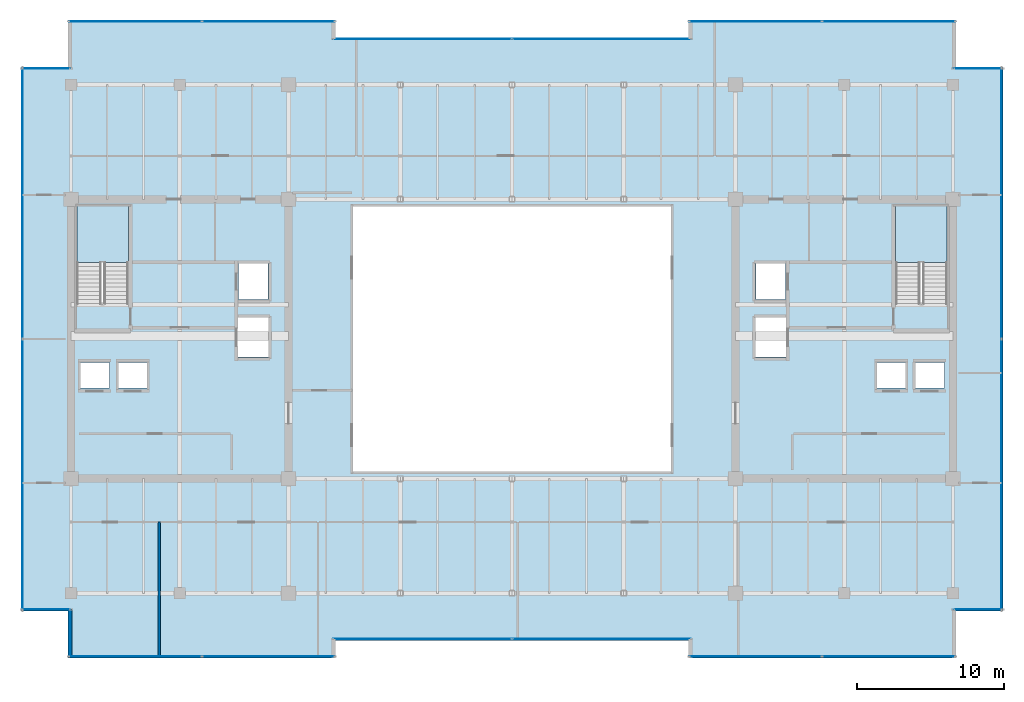
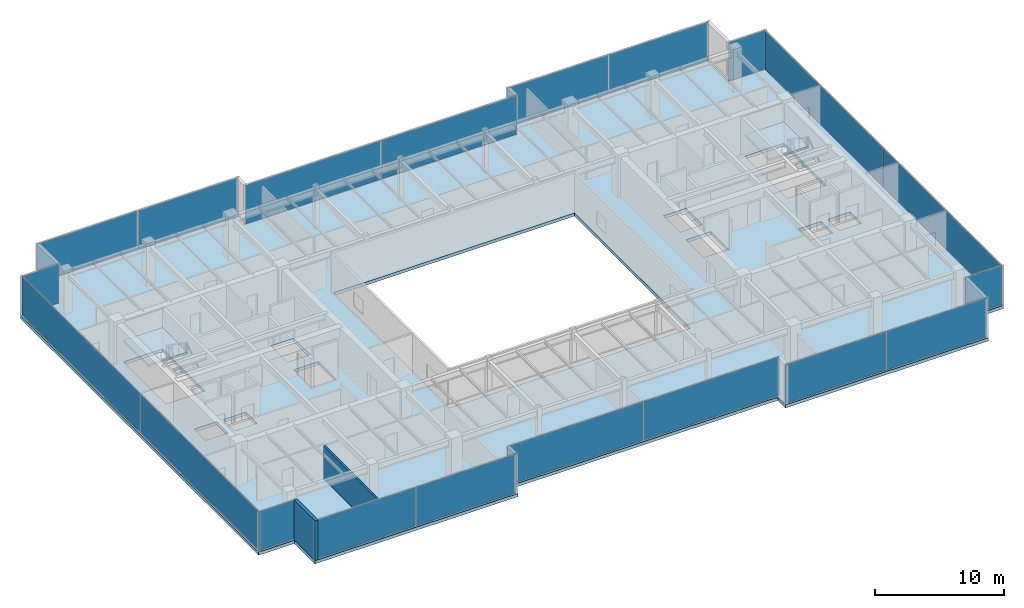
# One storey, part 27 of 33: 20 plates, 3 slabs, 2 walls, 14 elements without a shape of their own.
"""IFC4 building model written with IfcOpenShell, lengths in metres."""

from ifc_helpers import new_model, si_unit, direction, frame, frame_2d, origin, origin_2d, place, context, subcontext, project, spatial, polyline, rectangle, outline, extrude, source, transform, mapped, material, layer, layer_set, type_object, type_shapes, element, aggregate, save


model = new_model("IFC4")

# Units and contexts
model_context = context("Model", 3, precision=1e-05, world=origin(), true_north=direction((0.0, 1.0)))
body_context = subcontext(model_context, "Body", "Model", "MODEL_VIEW")
ifc_project = project(units=[si_unit("LENGTHUNIT", "METRE"), si_unit("AREAUNIT", "SQUARE_METRE"), si_unit("VOLUMEUNIT", "CUBIC_METRE"), si_unit("PLANEANGLEUNIT", "RADIAN"), si_unit("MASSUNIT", "GRAM", prefix="KILO")], contexts=[model_context])

# Site, building, storey
site_placement = place(None, origin())
site = spatial("IfcSite", under=ifc_project, at=site_placement, CompositionType="ELEMENT")
building_placement = place(site_placement, origin())
building = spatial("IfcBuilding", under=site, at=building_placement, Name="Haelvirn Gate Laboratories", CompositionType="ELEMENT")
storey_placement = place(building_placement, frame((0.0, 0.0, 267.0)))
storey = spatial("IfcBuildingStorey", under=building, at=storey_placement, Name="L64", CompositionType="ELEMENT", Elevation=267.0)

# Stair, slab
ifc_material_1 = material(Name="Concrete C40/50", Category="concrete")
stair_type = type_object("IfcStairType", Name="ST-DOG-1650-R22", PredefinedType="HALF_TURN_STAIR", material=ifc_material_1)
stair_1_placement = place(storey_placement, origin())
stair_1 = element("IfcStair", 1, at=stair_1_placement, inside=storey, type_object=stair_type, Name="L64 Escape Stair ST1", PredefinedType="HALF_TURN_STAIR")
ifc_layer_1 = layer(ifc_material_1, 0.199951171875, Name="SL-STAIR-LND")
ifc_layer_set_1 = layer_set([ifc_layer_1], Name="Concrete C40/50")
slab_type_1 = type_object("IfcSlabType", Name="SL-STAIR-LND", PredefinedType="LANDING", material=ifc_layer_set_1)
slab_1_placement = place(storey_placement, frame((0.0, 0.0, 1.85009765625)))
slab_1 = element("IfcSlab", 2, at=slab_1_placement, type_object=slab_type_1, Name="ST1 landing 1", PredefinedType="LANDING", context=body_context, shape_type="SweptSolid", body=[
    extrude(outline(polyline([(11.300048828125, 29.5), (11.300048828125, 33.35009765625), (7.800048828125, 33.35009765625), (7.800048828125, 29.5), (11.300048828125, 29.5)])), origin(), (0.0, 0.0, 1.0), 0.199951171875),
])
aggregate(stair_1, [slab_1])

stair_2_placement = place(storey_placement, origin())
stair_2 = element("IfcStair", 3, at=stair_2_placement, inside=storey, type_object=stair_type, Name="L64 Escape Stair ST2", PredefinedType="HALF_TURN_STAIR")
slab_2_placement = place(storey_placement, frame((0.0, 0.0, 1.85009765625)))
slab_2 = element("IfcSlab", 4, at=slab_2_placement, type_object=slab_type_1, Name="ST2 landing 1", PredefinedType="LANDING", context=body_context, shape_type="SweptSolid", body=[
    extrude(outline(polyline([(67.0, 29.5), (67.0, 33.35009765625), (63.5, 33.35009765625), (63.5, 29.5), (67.0, 29.5)])), origin(), (0.0, 0.0, 1.0), 0.199951171875),
])
aggregate(stair_2, [slab_2])

# Slab
ifc_layer_2 = layer(ifc_material_1, 0.300048828125, Name="SL-Z3-300")
ifc_layer_set_2 = layer_set([ifc_layer_2], Name="Concrete C40/50")
slab_type_2 = type_object("IfcSlabType", Name="SL-Z3-300", PredefinedType="FLOOR", material=ifc_layer_set_2)
slab_3_placement = place(storey_placement, frame((0.0, 0.0, -0.300048828125)))
element("IfcSlab", 5, at=slab_3_placement, inside=storey, type_object=slab_type_2, Name="L64 Structural Slab MAIN", PredefinedType="FLOOR", context=body_context, shape_type="SweptSolid", body=[
    extrude(outline(polyline([(7.199951171875, 2.60009765625), (25.39990234375, 2.60009765625), (25.39990234375, 3.800048828125), (49.39990234375, 3.800048828125), (49.39990234375, 2.60009765625), (67.60009765625, 2.60009765625), (67.60009765625, 5.800048828125), (70.800048828125, 5.800048828125), (70.800048828125, 42.800048828125), (67.60009765625, 42.800048828125), (67.60009765625, 46.0), (49.39990234375, 46.0), (49.39990234375, 44.800048828125), (25.39990234375, 44.800048828125), (25.39990234375, 46.0), (7.199951171875, 46.0), (7.199951171875, 42.800048828125), (4.0, 42.800048828125), (4.0, 5.800048828125), (7.199951171875, 5.800048828125), (7.199951171875, 2.60009765625)]), holes=[polyline([(26.60009765625, 15.300048828125), (48.199951171875, 15.300048828125), (48.199951171875, 33.300048828125), (26.60009765625, 33.300048828125), (26.60009765625, 15.300048828125)]), polyline([(11.300048828125, 26.780029296875), (11.300048828125, 33.35009765625), (7.800048828125, 33.35009765625), (7.800048828125, 26.780029296875), (11.300048828125, 26.780029296875)]), polyline([(67.0, 26.780029296875), (67.0, 33.35009765625), (63.5, 33.35009765625), (63.5, 26.780029296875), (67.0, 26.780029296875)]), polyline([(7.989990234375, 20.969970703125), (10.010009765625, 20.969970703125), (10.010009765625, 22.7099609375), (7.989990234375, 22.7099609375), (7.989990234375, 20.969970703125)]), polyline([(10.590087890625, 20.969970703125), (12.610107421875, 20.969970703125), (12.610107421875, 22.7099609375), (10.590087890625, 22.7099609375), (10.590087890625, 20.969970703125)]), polyline([(18.7900390625, 26.969970703125), (20.81005859375, 26.969970703125), (20.81005859375, 29.510009765625), (18.7900390625, 29.510009765625), (18.7900390625, 26.969970703125)]), polyline([(18.68994140625, 23.070068359375), (20.909912109375, 23.070068359375), (20.909912109375, 25.81005859375), (18.68994140625, 25.81005859375), (18.68994140625, 23.070068359375)]), polyline([(64.7900390625, 20.969970703125), (66.81005859375, 20.969970703125), (66.81005859375, 22.7099609375), (64.7900390625, 22.7099609375), (64.7900390625, 20.969970703125)]), polyline([(62.18994140625, 20.969970703125), (64.2099609375, 20.969970703125), (64.2099609375, 22.7099609375), (62.18994140625, 22.7099609375), (62.18994140625, 20.969970703125)]), polyline([(53.989990234375, 26.969970703125), (56.010009765625, 26.969970703125), (56.010009765625, 29.510009765625), (53.989990234375, 29.510009765625), (53.989990234375, 26.969970703125)]), polyline([(53.889892578125, 23.070068359375), (56.110107421875, 23.070068359375), (56.110107421875, 25.81005859375), (53.889892578125, 25.81005859375), (53.889892578125, 23.070068359375)])]), origin(), (0.0, 0.0, 1.0), 0.300048828125),
])

# Curtain wall, plates
ifc_material_2 = material(Name="Anodised bronze unitised aluminium & triple low-E glass", Category="aluminium")
ifc_layer_3 = layer(ifc_material_2, 0.176025390625, Name="CW-SYS-4")
ifc_layer_set_3 = layer_set([ifc_layer_3], Name="Anodised bronze unitised aluminium & triple low-E glass")
curtain_wall_type_1 = type_object("IfcCurtainWallType", Name="CW-SYS-4", PredefinedType="NOTDEFINED", material=ifc_layer_set_3)
curtain_wall_1_placement = place(storey_placement, origin())
curtain_wall_1 = element("IfcCurtainWall", 6, at=curtain_wall_1_placement, inside=storey, type_object=curtain_wall_type_1, Name="L64 Unitised Curtain Wall CW-L64-P0-E00-1", PredefinedType="NOTDEFINED")
ifc_material_3 = material(Name="Acoustic laminated bronze triple IGU 36 mm", Category="glass")
ifc_layer_4 = layer(ifc_material_3, 0.035888671875, Name="CWP-IGU-36")
ifc_layer_set_4 = layer_set([ifc_layer_4], Name="Acoustic laminated bronze triple IGU 36 mm")
plate_type_1 = type_object("IfcPlateType", Name="CWP-IGU-36", PredefinedType="CURTAIN_PANEL", material=ifc_layer_set_4)
shared_shape_1 = source(origin(), body_context, "Body", "SweptSolid", [
    extrude(rectangle(XDim=8.9951171875, YDim=0.035888671875, at=origin_2d()), origin(), (0.0, 0.0, 1.0), 3.669921875),
])
plate_1_placement = place(storey_placement, frame((11.767578125, 2.699951171875, 0.06494140625), z_axis=(0.0, 0.0, 1.0), x_axis=(1.0, 0.0, 0.0)))
plate_1 = element("IfcPlate", 7, at=plate_1_placement, type_object=plate_type_1, Name="CW4 panel 1.1", PredefinedType="CURTAIN_PANEL", context=body_context, shape_type="MappedRepresentation", body=[
    mapped(shared_shape_1, transform((0.0, 0.0, 0.0), scale=1.0)),
])
plate_2_placement = place(storey_placement, frame((20.83251953125, 2.699951171875, 0.06494140625), z_axis=(0.0, 0.0, 1.0), x_axis=(1.0, 0.0, 0.0)))
plate_2 = element("IfcPlate", 8, at=plate_2_placement, type_object=plate_type_1, Name="CW4 panel 2.1", PredefinedType="CURTAIN_PANEL", context=body_context, shape_type="MappedRepresentation", body=[
    mapped(shared_shape_1, transform((0.0, 0.0, 0.0), scale=1.0)),
])
aggregate(curtain_wall_1, [plate_1, plate_2])

curtain_wall_2_placement = place(storey_placement, origin())
curtain_wall_2 = element("IfcCurtainWall", 9, at=curtain_wall_2_placement, inside=storey, type_object=curtain_wall_type_1, Name="L64 Unitised Curtain Wall CW-L64-P0-E04-1", PredefinedType="NOTDEFINED")
plate_3_placement = place(storey_placement, frame((53.967529296875, 2.699951171875, 0.06494140625), z_axis=(0.0, 0.0, 1.0), x_axis=(1.0, 0.0, 0.0)))
plate_3 = element("IfcPlate", 10, at=plate_3_placement, type_object=plate_type_1, Name="CW4 panel 1.1", PredefinedType="CURTAIN_PANEL", context=body_context, shape_type="MappedRepresentation", body=[
    mapped(shared_shape_1, transform((0.0, 0.0, 0.0), scale=1.0)),
])
plate_4_placement = place(storey_placement, frame((63.032470703125, 2.699951171875, 0.06494140625), z_axis=(0.0, 0.0, 1.0), x_axis=(1.0, 0.0, 0.0)))
plate_4 = element("IfcPlate", 11, at=plate_4_placement, type_object=plate_type_1, Name="CW4 panel 2.1", PredefinedType="CURTAIN_PANEL", context=body_context, shape_type="MappedRepresentation", body=[
    mapped(shared_shape_1, transform((0.0, 0.0, 0.0), scale=1.0)),
])
aggregate(curtain_wall_2, [plate_3, plate_4])

curtain_wall_3_placement = place(storey_placement, origin())
curtain_wall_3 = element("IfcCurtainWall", 12, at=curtain_wall_3_placement, inside=storey, type_object=curtain_wall_type_1, Name="L64 Unitised Curtain Wall CW-L64-P0-E10-1", PredefinedType="NOTDEFINED")
plate_5_placement = place(storey_placement, frame((53.967529296875, 45.89990234375, 0.06494140625), z_axis=(0.0, 0.0, 1.0), x_axis=(1.0, 0.0, 0.0)))
plate_5 = element("IfcPlate", 13, at=plate_5_placement, type_object=plate_type_1, Name="CW4 panel 1.1", PredefinedType="CURTAIN_PANEL", context=body_context, shape_type="MappedRepresentation", body=[
    mapped(shared_shape_1, transform((0.0, 0.0, 0.0), scale=1.0)),
])
plate_6_placement = place(storey_placement, frame((63.032470703125, 45.89990234375, 0.06494140625), z_axis=(0.0, 0.0, 1.0), x_axis=(1.0, 0.0, 0.0)))
plate_6 = element("IfcPlate", 14, at=plate_6_placement, type_object=plate_type_1, Name="CW4 panel 2.1", PredefinedType="CURTAIN_PANEL", context=body_context, shape_type="MappedRepresentation", body=[
    mapped(shared_shape_1, transform((0.0, 0.0, 0.0), scale=1.0)),
])
aggregate(curtain_wall_3, [plate_5, plate_6])

curtain_wall_4_placement = place(storey_placement, origin())
curtain_wall_4 = element("IfcCurtainWall", 15, at=curtain_wall_4_placement, inside=storey, type_object=curtain_wall_type_1, Name="L64 Unitised Curtain Wall CW-L64-P0-E14-1", PredefinedType="NOTDEFINED")
plate_7_placement = place(storey_placement, frame((11.767578125, 45.89990234375, 0.06494140625), z_axis=(0.0, 0.0, 1.0), x_axis=(1.0, 0.0, 0.0)))
plate_7 = element("IfcPlate", 16, at=plate_7_placement, type_object=plate_type_1, Name="CW4 panel 1.1", PredefinedType="CURTAIN_PANEL", context=body_context, shape_type="MappedRepresentation", body=[
    mapped(shared_shape_1, transform((0.0, 0.0, 0.0), scale=1.0)),
])
plate_8_placement = place(storey_placement, frame((20.83251953125, 45.89990234375, 0.06494140625), z_axis=(0.0, 0.0, 1.0), x_axis=(1.0, 0.0, 0.0)))
plate_8 = element("IfcPlate", 17, at=plate_8_placement, type_object=plate_type_1, Name="CW4 panel 2.1", PredefinedType="CURTAIN_PANEL", context=body_context, shape_type="MappedRepresentation", body=[
    mapped(shared_shape_1, transform((0.0, 0.0, 0.0), scale=1.0)),
])
aggregate(curtain_wall_4, [plate_7, plate_8])

curtain_wall_5_placement = place(storey_placement, origin())
curtain_wall_5 = element("IfcCurtainWall", 18, at=curtain_wall_5_placement, inside=storey, type_object=curtain_wall_type_1, Name="L64 Unitised Curtain Wall CW-L64-P0-E02-1", PredefinedType="NOTDEFINED")
shared_shape_2 = source(origin(), body_context, "Body", "SweptSolid", [
    extrude(rectangle(XDim=12.135009765625, YDim=0.035888671875, at=origin_2d()), origin(), (0.0, 0.0, 1.0), 3.669921875),
])
plate_9_placement = place(storey_placement, frame((31.297607421875, 3.89990234375, 0.06494140625), z_axis=(0.0, 0.0, 1.0), x_axis=(1.0, 0.0, 0.0)))
plate_9 = element("IfcPlate", 19, at=plate_9_placement, type_object=plate_type_1, Name="CW4 panel 1.1", PredefinedType="CURTAIN_PANEL", context=body_context, shape_type="MappedRepresentation", body=[
    mapped(shared_shape_2, transform((0.0, 0.0, 0.0), scale=1.0)),
])
plate_10_placement = place(storey_placement, frame((43.50244140625, 3.89990234375, 0.06494140625), z_axis=(0.0, 0.0, 1.0), x_axis=(1.0, 0.0, 0.0)))
plate_10 = element("IfcPlate", 20, at=plate_10_placement, type_object=plate_type_1, Name="CW4 panel 2.1", PredefinedType="CURTAIN_PANEL", context=body_context, shape_type="MappedRepresentation", body=[
    mapped(shared_shape_2, transform((0.0, 0.0, 0.0), scale=1.0)),
])
aggregate(curtain_wall_5, [plate_9, plate_10])

curtain_wall_6_placement = place(storey_placement, origin())
curtain_wall_6 = element("IfcCurtainWall", 21, at=curtain_wall_6_placement, inside=storey, type_object=curtain_wall_type_1, Name="L64 Unitised Curtain Wall CW-L64-P0-E12-1", PredefinedType="NOTDEFINED")
plate_11_placement = place(storey_placement, frame((31.297607421875, 44.699951171875, 0.06494140625), z_axis=(0.0, 0.0, 1.0), x_axis=(1.0, 0.0, 0.0)))
plate_11 = element("IfcPlate", 22, at=plate_11_placement, type_object=plate_type_1, Name="CW4 panel 1.1", PredefinedType="CURTAIN_PANEL", context=body_context, shape_type="MappedRepresentation", body=[
    mapped(shared_shape_2, transform((0.0, 0.0, 0.0), scale=1.0)),
])
plate_12_placement = place(storey_placement, frame((43.50244140625, 44.699951171875, 0.06494140625), z_axis=(0.0, 0.0, 1.0), x_axis=(1.0, 0.0, 0.0)))
plate_12 = element("IfcPlate", 23, at=plate_12_placement, type_object=plate_type_1, Name="CW4 panel 2.1", PredefinedType="CURTAIN_PANEL", context=body_context, shape_type="MappedRepresentation", body=[
    mapped(shared_shape_2, transform((0.0, 0.0, 0.0), scale=1.0)),
])
aggregate(curtain_wall_6, [plate_11, plate_12])

# Curtain wall, plate
ifc_layer_5 = layer(ifc_material_2, 0.181884765625, Name="CW-SYS-5")
ifc_layer_set_5 = layer_set([ifc_layer_5], Name="Anodised bronze unitised aluminium & triple low-E glass")
curtain_wall_type_2 = type_object("IfcCurtainWallType", Name="CW-SYS-5", PredefinedType="NOTDEFINED", material=ifc_layer_set_5)
curtain_wall_7_placement = place(storey_placement, origin())
curtain_wall_7 = element("IfcCurtainWall", 24, at=curtain_wall_7_placement, inside=storey, type_object=curtain_wall_type_2, Name="L64 Unitised Curtain Wall CW-L64-P0-E06-1", PredefinedType="NOTDEFINED")
ifc_material_4 = material(Name="Clear low-iron notched-corner triple IGU 42 mm", Category="glass")
ifc_layer_6 = layer(ifc_material_4, 0.0419921875, Name="CWP-NTC-42")
ifc_layer_set_6 = layer_set([ifc_layer_6], Name="Clear low-iron notched-corner triple IGU 42 mm")
plate_type_2 = type_object("IfcPlateType", Name="CWP-NTC-42", PredefinedType="CURTAIN_PANEL", material=ifc_layer_set_6)
shared_shape_3 = source(origin(), body_context, "Body", "SweptSolid", [
    extrude(rectangle(XDim=3.280029296875, YDim=0.0419921875, at=origin_2d()), origin(), (0.0, 0.0, 1.0), 3.669921875),
])
type_shapes(plate_type_2, [shared_shape_3])
plate_13_placement = place(storey_placement, frame((69.080078125, 5.89990234375, 0.06494140625), z_axis=(0.0, 0.0, 1.0), x_axis=(1.0, 0.0, 0.0)))
plate_13 = element("IfcPlate", 25, at=plate_13_placement, type_object=plate_type_2, Name="CW5 panel 1.1", PredefinedType="CURTAIN_PANEL", context=body_context, shape_type="MappedRepresentation", body=[
    mapped(shared_shape_3, transform((0.0, 0.0, 0.0), scale=1.0)),
])
aggregate(curtain_wall_7, [plate_13])

curtain_wall_8_placement = place(storey_placement, origin())
curtain_wall_8 = element("IfcCurtainWall", 26, at=curtain_wall_8_placement, inside=storey, type_object=curtain_wall_type_2, Name="L64 Unitised Curtain Wall CW-L64-P0-E08-1", PredefinedType="NOTDEFINED")
plate_14_placement = place(storey_placement, frame((69.080078125, 42.699951171875, 0.06494140625), z_axis=(0.0, 0.0, 1.0), x_axis=(1.0, 0.0, 0.0)))
plate_14 = element("IfcPlate", 27, at=plate_14_placement, type_object=plate_type_2, Name="CW5 panel 1.1", PredefinedType="CURTAIN_PANEL", context=body_context, shape_type="MappedRepresentation", body=[
    mapped(shared_shape_3, transform((0.0, 0.0, 0.0), scale=1.0)),
])
aggregate(curtain_wall_8, [plate_14])

curtain_wall_9_placement = place(storey_placement, origin())
curtain_wall_9 = element("IfcCurtainWall", 28, at=curtain_wall_9_placement, inside=storey, type_object=curtain_wall_type_2, Name="L64 Unitised Curtain Wall CW-L64-P0-E16-1", PredefinedType="NOTDEFINED")
plate_15_placement = place(storey_placement, frame((5.719970703125, 42.699951171875, 0.06494140625), z_axis=(0.0, 0.0, 1.0), x_axis=(1.0, 0.0, 0.0)))
plate_15 = element("IfcPlate", 29, at=plate_15_placement, type_object=plate_type_2, Name="CW5 panel 1.1", PredefinedType="CURTAIN_PANEL", context=body_context, shape_type="MappedRepresentation", body=[
    mapped(shared_shape_3, transform((0.0, 0.0, 0.0), scale=1.0)),
])
aggregate(curtain_wall_9, [plate_15])

curtain_wall_10_placement = place(storey_placement, origin())
curtain_wall_10 = element("IfcCurtainWall", 30, at=curtain_wall_10_placement, inside=storey, type_object=curtain_wall_type_2, Name="L64 Unitised Curtain Wall CW-L64-P0-E18-1", PredefinedType="NOTDEFINED")
plate_16_placement = place(storey_placement, frame((5.719970703125, 5.89990234375, 0.06494140625), z_axis=(0.0, 0.0, 1.0), x_axis=(1.0, 0.0, 0.0)))
plate_16 = element("IfcPlate", 31, at=plate_16_placement, type_object=plate_type_2, Name="CW5 panel 1.1", PredefinedType="CURTAIN_PANEL", context=body_context, shape_type="MappedRepresentation", body=[
    mapped(shared_shape_3, transform((0.0, 0.0, 0.0), scale=1.0)),
])
aggregate(curtain_wall_10, [plate_16])

# Curtain wall, plates
curtain_wall_11_placement = place(storey_placement, origin())
curtain_wall_11 = element("IfcCurtainWall", 32, at=curtain_wall_11_placement, inside=storey, type_object=curtain_wall_type_1, Name="L64 Unitised Curtain Wall CW-L64-P0-E07", PredefinedType="NOTDEFINED")
shared_shape_4 = source(origin(), body_context, "Body", "SweptSolid", [
    extrude(rectangle(XDim=18.39501953125, YDim=0.035888671875, at=origin_2d()), origin(), (0.0, 0.0, 1.0), 3.669921875),
])
type_shapes(plate_type_1, [shared_shape_1, shared_shape_2, shared_shape_4])
plate_17_placement = place(storey_placement, frame((70.699951171875, 15.0673828125, 0.06494140625), z_axis=(0.0, 0.0, 1.0), x_axis=(0.0, 1.0, 0.0)))
plate_17 = element("IfcPlate", 33, at=plate_17_placement, type_object=plate_type_1, Name="CW4 panel 1.1", PredefinedType="CURTAIN_PANEL", context=body_context, shape_type="MappedRepresentation", body=[
    mapped(shared_shape_4, transform((0.0, 0.0, 0.0), scale=1.0)),
])
plate_18_placement = place(storey_placement, frame((70.699951171875, 33.532470703125, 0.06494140625), z_axis=(0.0, 0.0, 1.0), x_axis=(0.0, 1.0, 0.0)))
plate_18 = element("IfcPlate", 34, at=plate_18_placement, type_object=plate_type_1, Name="CW4 panel 2.1", PredefinedType="CURTAIN_PANEL", context=body_context, shape_type="MappedRepresentation", body=[
    mapped(shared_shape_4, transform((0.0, 0.0, 0.0), scale=1.0)),
])
aggregate(curtain_wall_11, [plate_17, plate_18])

curtain_wall_12_placement = place(storey_placement, origin())
curtain_wall_12 = element("IfcCurtainWall", 35, at=curtain_wall_12_placement, inside=storey, type_object=curtain_wall_type_1, Name="L64 Unitised Curtain Wall CW-L64-P0-E17", PredefinedType="NOTDEFINED")
plate_19_placement = place(storey_placement, frame((4.10009765625, 33.532470703125, 0.06494140625), z_axis=(0.0, 0.0, 1.0), x_axis=(0.0, -1.0, 0.0)))
plate_19 = element("IfcPlate", 36, at=plate_19_placement, type_object=plate_type_1, Name="CW4 panel 1.1", PredefinedType="CURTAIN_PANEL", context=body_context, shape_type="MappedRepresentation", body=[
    mapped(shared_shape_4, transform((0.0, 0.0, 0.0), scale=1.0)),
])
plate_20_placement = place(storey_placement, frame((4.10009765625, 15.0673828125, 0.06494140625), z_axis=(0.0, 0.0, 1.0), x_axis=(0.0, -1.0, 0.0)))
plate_20 = element("IfcPlate", 37, at=plate_20_placement, type_object=plate_type_1, Name="CW4 panel 2.1", PredefinedType="CURTAIN_PANEL", context=body_context, shape_type="MappedRepresentation", body=[
    mapped(shared_shape_4, transform((0.0, 0.0, 0.0), scale=1.0)),
])
aggregate(curtain_wall_12, [plate_19, plate_20])

# Walls
ifc_material_5 = material(Name="Thermally-broken bronze aluminium rainscreen & mineral wool", Category="aluminium")
ifc_layer_7 = layer(ifc_material_5, 0.280029296875, Name="EW-TERR-280")
ifc_layer_set_7 = layer_set([ifc_layer_7], Name="Thermally-broken bronze aluminium rainscreen & mineral wool")
wall_type_1 = type_object("IfcWallType", Name="EW-TERR-280", PredefinedType="STANDARD", material=ifc_layer_set_7)
wall_1_placement = place(storey_placement, frame((7.340087890625, 5.887939453125, 0.0), z_axis=(0.0, 0.0, 1.0), x_axis=(0.0, -1.0, 0.0)))
element("IfcWall", 38, at=wall_1_placement, inside=storey, type_object=wall_type_1, Name="L64 Atrium Recess Bronze Return Wall 19", PredefinedType="STANDARD", context=body_context, shape_type="SweptSolid", body=[
    extrude(rectangle(XDim=3.287841796875, YDim=0.280029296875, at=frame_2d((1.64404296875, 0.0))), origin(), (0.0, 0.0, 1.0), 3.800048828125),
])
ifc_material_6 = material(Name="Double-layer acoustic gypsum laboratory partition", Category="gypsum")
ifc_layer_8 = layer(ifc_material_6, 0.159912109375, Name="IW-ACOUST-160")
ifc_layer_set_8 = layer_set([ifc_layer_8], Name="Double-layer acoustic gypsum laboratory partition")
wall_type_2 = type_object("IfcWallType", Name="IW-ACOUST-160", PredefinedType="PARTITIONING", material=ifc_layer_set_8)
wall_2_placement = place(storey_placement, frame((13.39990234375, 2.7099609375, 0.0), z_axis=(0.0, 0.0, 1.0), x_axis=(0.0, 1.0, 0.0)))
element("IfcWall", 39, at=wall_2_placement, inside=storey, type_object=wall_type_2, Name="L64 Interior Wall IW-L64-SDIV-01", PredefinedType="PARTITIONING", context=body_context, shape_type="SweptSolid", body=[
    extrude(rectangle(XDim=9.130126953125, YDim=0.159912109375, at=frame_2d((4.56494140625, 0.0))), origin(), (0.0, 0.0, 1.0), 3.135009765625),
])

save(model, "model.ifc")
